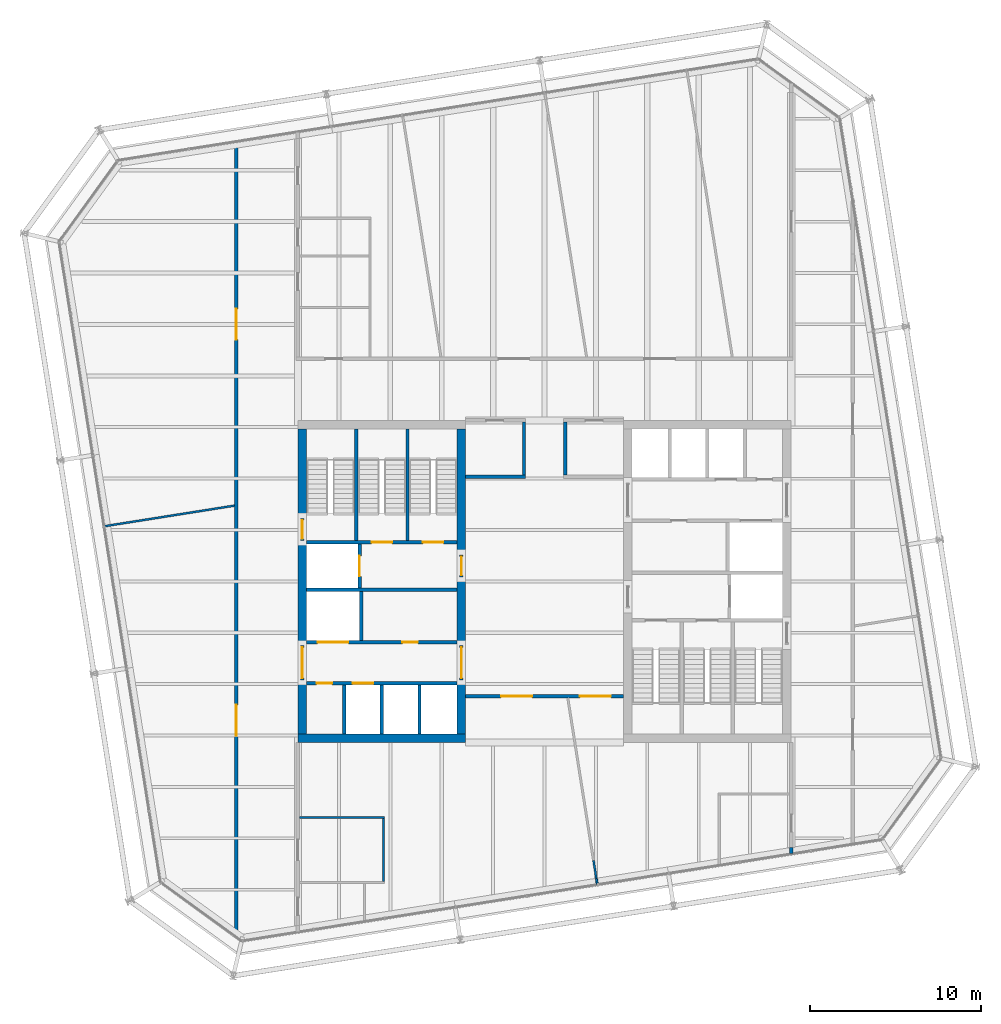
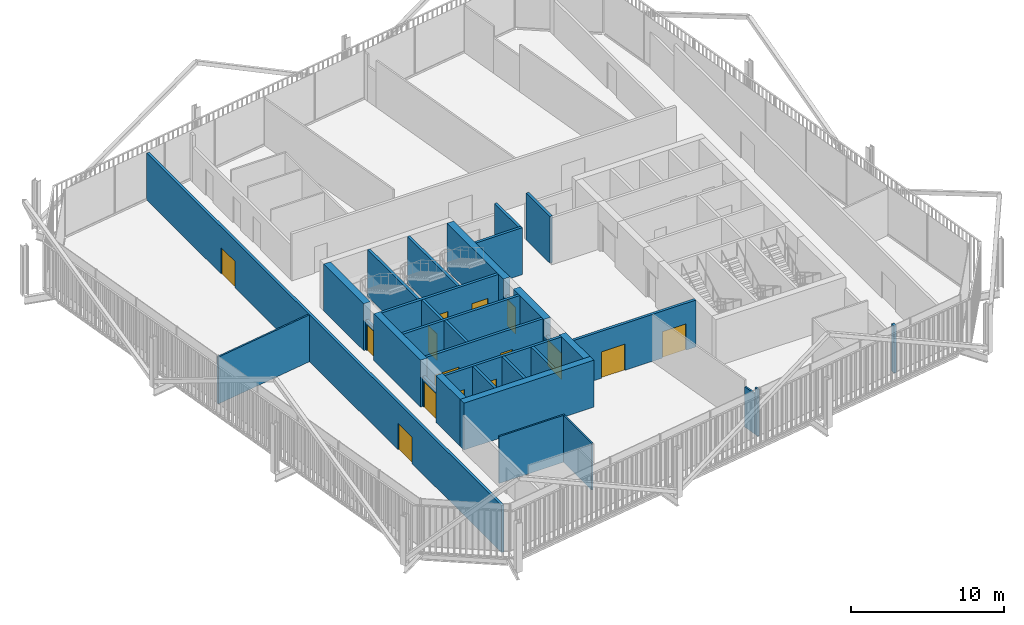
# One storey, part 17 of 21: 33 walls, 15 doors, 15 openings.
"""IFC4 building model written with IfcOpenShell, lengths in metres."""

import ifcopenshell
import ifcopenshell.guid

model = None  # the IFC model being written
_history = None  # IfcOwnerHistory: only IFC2X3 demands one
_inside = {}  # id of a spatial element -> (the spatial element, [elements in it])
_under = {}  # id of a project, library or spatial element -> (it, [spatial elements below it])
_declared = {}  # id of a project -> (the project, [libraries it declares])
_typed = {}  # id of a type object -> (the type object, [elements of that type])
_made_of = {}  # id of a material, layer set ... -> (it, [elements and type objects made of it])


def new_model(schema):
    """Start an empty IFC model of exactly this schema.

    Asked for "IFC4X3", IfcOpenShell would pick the latest addendum, in which some entities
    have other attributes; the version numbers below select the first issue.
    IFC2X3 requires an IfcOwnerHistory on every rooted entity: one is made here for all.
    """
    global model, _history
    if schema == "IFC4X3":
        model = ifcopenshell.file(schema_version=(4, 3, 0, 0))
    else:
        model = ifcopenshell.file(schema=schema)
    _inside.clear()
    _under.clear()
    _declared.clear()
    _typed.clear()
    _made_of.clear()
    _history = None
    if model.schema == "IFC2X3":
        org = make("IfcOrganization", Name="unknown")
        user = make(
            "IfcPersonAndOrganization",
            ThePerson=make("IfcPerson", FamilyName="unknown"),
            TheOrganization=org,
        )
        app = make(
            "IfcApplication",
            ApplicationDeveloper=org,
            Version="unknown",
            ApplicationFullName="unknown",
            ApplicationIdentifier="unknown",
        )
        _history = make(
            "IfcOwnerHistory",
            OwningUser=user,
            OwningApplication=app,
            ChangeAction="ADDED",
            CreationDate=0,
        )
    return model


def make(cls, **values):
    """One entity of the class cls with the attributes given. An attribute that is None is left unset."""
    return model.create_entity(
        cls, **{name: value for name, value in values.items() if value is not None}
    )


def rooted(cls, **values):
    """An entity with a GlobalId (a new one), such as an element, a storey or a relation."""
    return make(cls, GlobalId=ifcopenshell.guid.new(), OwnerHistory=_history, **values)


def si_unit(unit_type, name, prefix=None):
    """IfcSIUnit, for example si_unit("LENGTHUNIT", "METRE", prefix="MILLI")."""
    return make("IfcSIUnit", UnitType=unit_type, Prefix=prefix, Name=name)


def assignment(units):
    """IfcUnitAssignment: the units of a project."""
    return None if units is None else make("IfcUnitAssignment", Units=units)


def point(xyz):
    """IfcCartesianPoint."""
    return None if xyz is None else make("IfcCartesianPoint", Coordinates=xyz)


def direction(xyz):
    """IfcDirection."""
    return None if xyz is None else make("IfcDirection", DirectionRatios=xyz)


def frame(location, z_axis=None, x_axis=None):
    """IfcAxis2Placement3D, a coordinate frame: its origin and axes. An axis left out is left unset."""
    return make(
        "IfcAxis2Placement3D",
        Location=point(location),
        Axis=direction(z_axis),
        RefDirection=direction(x_axis),
    )


def frame_2d(location, x_axis=None):
    """IfcAxis2Placement2D, a coordinate frame in the plane: its origin and x axis."""
    return make(
        "IfcAxis2Placement2D", Location=point(location), RefDirection=direction(x_axis)
    )


def origin():
    """The frame at (0, 0, 0) with its axes left unset."""
    return frame((0.0, 0.0, 0.0))


def place(relative_to, where):
    """IfcLocalPlacement: puts the frame where relative to a parent placement (None: the world)."""
    return make(
        "IfcLocalPlacement", PlacementRelTo=relative_to, RelativePlacement=where
    )


def context(
    kind, dimensions, precision=None, world=None, true_north=None, identifier=None
):
    """IfcGeometricRepresentationContext, for example the 3D "Model" context."""
    return make(
        "IfcGeometricRepresentationContext",
        ContextIdentifier=identifier,
        ContextType=kind,
        CoordinateSpaceDimension=dimensions,
        Precision=precision,
        WorldCoordinateSystem=world,
        TrueNorth=true_north,
    )


def subcontext(parent, identifier, kind, view, scale=None):
    """IfcGeometricRepresentationSubContext, for example "Body" below "Model"."""
    return make(
        "IfcGeometricRepresentationSubContext",
        ContextIdentifier=identifier,
        ContextType=kind,
        ParentContext=parent,
        TargetScale=scale,
        TargetView=view,
    )


def project(units=None, contexts=None):
    """IfcProject with its units and contexts."""
    return rooted(
        "IfcProject",
        Name="project",
        RepresentationContexts=contexts,
        UnitsInContext=assignment(units),
    )


def spatial(cls, under=None, at=None, **own):
    """A site, building, storey or space (cls), placed at a placement, below another one or the project."""
    s = rooted(cls, ObjectPlacement=at, **own)
    if under is not None:
        _under.setdefault(under.id(), (under, []))[1].append(s)
    return s


def profile(cls, at=None, kind="AREA", **sizes):
    """A parametric profile (cls). Its sizes go by their IFC names, for example OverallWidth=200.0."""
    return make(cls, ProfileType=kind, Position=at, **sizes)


def rectangle(**sizes):
    """IfcRectangleProfileDef."""
    return profile("IfcRectangleProfileDef", **sizes)


def extrude(swept, where, along, depth):
    """IfcExtrudedAreaSolid: the profile swept, set in the frame where, extruded along a direction by depth."""
    return make(
        "IfcExtrudedAreaSolid",
        SweptArea=swept,
        Position=where,
        ExtrudedDirection=direction(along),
        Depth=depth,
    )


def shape(context_of_items, identifier, shape_type, items):
    """IfcShapeRepresentation: the items that make up one representation, for example the "Body"."""
    return make(
        "IfcShapeRepresentation",
        ContextOfItems=context_of_items,
        RepresentationIdentifier=identifier,
        RepresentationType=shape_type,
        Items=items,
    )


def material(Name=None, Category=None):
    """IfcMaterial."""
    return make("IfcMaterial", Name=Name, Category=Category)


def layer(
    of_material, thickness, ventilated=None, Name=None, Category=None, Priority=None
):
    """IfcMaterialLayer: one layer of a wall or slab, of a material (None: an air gap)."""
    return make(
        "IfcMaterialLayer",
        Material=of_material,
        LayerThickness=thickness,
        IsVentilated=ventilated,
        Name=Name,
        Category=Category,
        Priority=Priority,
    )


def layer_set(layers, Name=None):
    """IfcMaterialLayerSet."""
    return make("IfcMaterialLayerSet", MaterialLayers=layers, LayerSetName=Name)


def made_of(thing, what):
    """Note that an element or type object is made of a material, layer set ...; save() writes the relation."""
    if what is not None:
        _made_of.setdefault(what.id(), (what, []))[1].append(thing)
    return thing


def type_object(cls, material=None, **own):
    """A type object (cls), such as IfcWallType, which elements share."""
    return made_of(rooted(cls, **own), material)


def element(
    cls,
    number,
    at=None,
    inside=None,
    cuts=None,
    type_object=None,
    material=None,
    context=None,
    identifier="Body",
    shape_type=None,
    held_by="IfcProductDefinitionShape",
    body=None,
    shapes=None,
    **own,
):
    """One element of the class cls, such as IfcWall. Its Tag is "e" and its number.

    at: its placement. inside: the storey or other place that contains it. cuts: it is an
    opening in that element (IfcRelVoidsElement). A single representation is given by context,
    identifier, shape_type and body (its items); several are given by shapes. held_by: the class
    of the entity that holds the representations. save() writes the other relations.
    """
    e = rooted(cls, Tag="e%d" % number, ObjectPlacement=at, **own)
    if body is not None:
        shapes = [shape(context, identifier, shape_type, body)]
    if shapes is not None:
        e.Representation = make(held_by, Representations=shapes)
    if inside is not None:
        _inside.setdefault(inside.id(), (inside, []))[1].append(e)
    if cuts is not None:
        rooted(
            "IfcRelVoidsElement", RelatingBuildingElement=cuts, RelatedOpeningElement=e
        )
    if type_object is not None:
        _typed.setdefault(type_object.id(), (type_object, []))[1].append(e)
    return made_of(e, material)


def fill(opening, filler):
    """IfcRelFillsElement: the door or window that sits in an opening."""
    return rooted(
        "IfcRelFillsElement",
        RelatingOpeningElement=opening,
        RelatedBuildingElement=filler,
    )


def aggregate(whole, parts):
    """IfcRelAggregates: a whole, such as a stair, and the parts it consists of."""
    return rooted("IfcRelAggregates", RelatingObject=whole, RelatedObjects=parts)


def save(model, path):
    """Write the relations noted so far, then the file.

    IfcRelAggregates (storeys below a building ...), IfcRelContainedInSpatialStructure (elements
    in a storey), IfcRelDefinesByType, IfcRelAssociatesMaterial and IfcRelDeclares: one each for
    every whole, place, type object, material and project.
    """
    for whole, parts in _under.values():
        aggregate(whole, parts)
    for where, things in _inside.values():
        rooted(
            "IfcRelContainedInSpatialStructure",
            RelatedElements=things,
            RelatingStructure=where,
        )
    for kind, things in _typed.values():
        rooted("IfcRelDefinesByType", RelatedObjects=things, RelatingType=kind)
    for what, things in _made_of.values():
        rooted("IfcRelAssociatesMaterial", RelatedObjects=things, RelatingMaterial=what)
    for by, libraries in _declared.values():
        rooted("IfcRelDeclares", RelatingContext=by, RelatedDefinitions=libraries)
    model.write(path)


model = new_model("IFC4")

# Units and contexts
model_context = context("Model", 3, precision=1e-05, world=origin(), true_north=direction((0.0, 1.0)))
body_context = subcontext(model_context, "Body", "Model", "MODEL_VIEW")
ifc_project = project(units=[si_unit("LENGTHUNIT", "METRE"), si_unit("AREAUNIT", "SQUARE_METRE"), si_unit("VOLUMEUNIT", "CUBIC_METRE"), si_unit("PLANEANGLEUNIT", "RADIAN"), si_unit("MASSUNIT", "GRAM", prefix="KILO")], contexts=[model_context])

# Site, building, storey
site_placement = place(None, origin())
site = spatial("IfcSite", under=ifc_project, at=site_placement, CompositionType="ELEMENT")
building_placement = place(site_placement, origin())
building = spatial("IfcBuilding", under=site, at=building_placement, Name="Millrace Tower", CompositionType="ELEMENT")
storey_placement = place(building_placement, frame((0.0, 0.0, 220.300048828125)))
storey = spatial("IfcBuildingStorey", under=building, at=storey_placement, Name="L50", CompositionType="ELEMENT", Elevation=220.300048828125)

# Walls
ifc_material_1 = material(Name="Concrete C60", Category="concrete")
ifc_layer_1 = layer(ifc_material_1, 0.5)
ifc_layer_set_1 = layer_set([ifc_layer_1], Name="Concrete C60")
wall_type_1 = type_object("IfcWallType", Name="Core wall 500 Concrete C60", PredefinedType="SHEAR", material=ifc_layer_set_1)
wall_1_placement = place(storey_placement, frame((-14.39990234375, -9.14990234375, 0.0), z_axis=(0.0, 0.0, 1.0), x_axis=(1.0, 0.0, 0.0)))
element("IfcWall", 1, at=wall_1_placement, inside=storey, type_object=wall_type_1, Name="Core wall W L50", PredefinedType="SHEAR", context=body_context, shape_type="SweptSolid", body=[
    extrude(rectangle(XDim=9.7998046875, YDim=0.5, at=frame_2d((4.89990234375, 0.0))), origin(), (0.0, 0.0, 1.0), 3.739990234375),
])
wall_2_placement = place(storey_placement, frame((-14.14990234375, -8.89990234375, 0.0), z_axis=(0.0, 0.0, 1.0), x_axis=(0.0, 1.0, 0.0)))
element("IfcWall", 2, at=wall_2_placement, inside=storey, type_object=wall_type_1, Name="Core wall W L50", PredefinedType="SHEAR", context=body_context, shape_type="SweptSolid", body=[
    extrude(rectangle(XDim=3.14990234375, YDim=0.5, at=frame_2d((1.574951171875, 0.0))), origin(), (0.0, 0.0, 1.0), 3.739990234375),
])
wall_3_placement = place(storey_placement, frame((-14.14990234375, -3.75, 0.0), z_axis=(0.0, 0.0, 1.0), x_axis=(0.0, 1.0, 0.0)))
element("IfcWall", 3, at=wall_3_placement, inside=storey, type_object=wall_type_1, Name="Core wall W L50", PredefinedType="SHEAR", context=body_context, shape_type="SweptSolid", body=[
    extrude(rectangle(XDim=6.1298828125, YDim=0.5, at=frame_2d((3.06494140625, 0.0))), origin(), (0.0, 0.0, 1.0), 3.739990234375),
])
wall_4_placement = place(storey_placement, frame((-14.14990234375, 3.679931640625, 0.0), z_axis=(0.0, 0.0, 1.0), x_axis=(0.0, 1.0, 0.0)))
element("IfcWall", 4, at=wall_4_placement, inside=storey, type_object=wall_type_1, Name="Core wall W L50", PredefinedType="SHEAR", context=body_context, shape_type="SweptSolid", body=[
    extrude(rectangle(XDim=5.219970703125, YDim=0.5, at=frame_2d((2.60986328125, 0.0))), origin(), (0.0, 0.0, 1.0), 3.739990234375),
])
wall_5_placement = place(storey_placement, frame((-4.85009765625, -8.89990234375, 0.0), z_axis=(0.0, 0.0, 1.0), x_axis=(0.0, 1.0, 0.0)))
element("IfcWall", 5, at=wall_5_placement, inside=storey, type_object=wall_type_1, Name="Core wall W L50", PredefinedType="SHEAR", context=body_context, shape_type="SweptSolid", body=[
    extrude(rectangle(XDim=3.14990234375, YDim=0.5, at=frame_2d((1.574951171875, 0.0))), origin(), (0.0, 0.0, 1.0), 3.739990234375),
])
wall_6_placement = place(storey_placement, frame((-4.85009765625, -3.75, 0.0), z_axis=(0.0, 0.0, 1.0), x_axis=(0.0, 1.0, 0.0)))
element("IfcWall", 6, at=wall_6_placement, inside=storey, type_object=wall_type_1, Name="Core wall W L50", PredefinedType="SHEAR", context=body_context, shape_type="SweptSolid", body=[
    extrude(rectangle(XDim=4.0, YDim=0.5, at=frame_2d((2.0, 0.0))), origin(), (0.0, 0.0, 1.0), 3.739990234375),
])
wall_7_placement = place(storey_placement, frame((-4.85009765625, 1.550048828125, 0.0), z_axis=(0.0, 0.0, 1.0), x_axis=(0.0, 1.0, 0.0)))
element("IfcWall", 7, at=wall_7_placement, inside=storey, type_object=wall_type_1, Name="Core wall W L50", PredefinedType="SHEAR", context=body_context, shape_type="SweptSolid", body=[
    extrude(rectangle(XDim=7.349853515625, YDim=0.5, at=frame_2d((3.6748046875, 0.0))), origin(), (0.0, 0.0, 1.0), 3.739990234375),
])

# Wall, openings, doors
ifc_material_2 = material(Name="Masonry partition, fire-rated", Category="masonry")
ifc_layer_2 = layer(ifc_material_2, 0.199951171875)
ifc_layer_set_2 = layer_set([ifc_layer_2], Name="Masonry partition, fire-rated")
wall_type_2 = type_object("IfcWallType", Name="Corridor wall 200", PredefinedType="PARTITIONING", material=ifc_layer_set_2)
wall_8_placement = place(storey_placement, frame((-4.60009765625, -6.699951171875, 0.0), z_axis=(0.0, 0.0, 1.0), x_axis=(1.0, 0.0, 0.0)))
wall_8 = element("IfcWall", 8, at=wall_8_placement, inside=storey, type_object=wall_type_2, Name="Corridor wall L50", PredefinedType="PARTITIONING", context=body_context, shape_type="SweptSolid", body=[
    extrude(rectangle(XDim=9.2001953125, YDim=0.199951171875, at=frame_2d((4.60009765625, 0.0))), origin(), (0.0, 0.0, 1.0), 3.739990234375),
])
opening_1_placement = place(wall_8_placement, frame((2.070068359375, 0.0, 0.0)))
opening_1 = element("IfcOpeningElement", 9, at=opening_1_placement, cuts=wall_8, Name="Opening 50-P014", PredefinedType="OPENING", context=body_context, shape_type="SweptSolid", body=[
    extrude(rectangle(XDim=1.800048828125, YDim=2.10009765625, at=frame_2d((0.89990234375, 1.050048828125))), frame((0.0, 0.10986328125, 0.0), z_axis=(0.0, -1.0, 0.0), x_axis=(1.0, 0.0, 0.0)), (0.0, 0.0, 1.0), 0.219970703125),
])
opening_2_placement = place(wall_8_placement, frame((6.669921875, 0.0, 0.0)))
opening_2 = element("IfcOpeningElement", 10, at=opening_2_placement, cuts=wall_8, Name="Opening 50-P017", PredefinedType="OPENING", context=body_context, shape_type="SweptSolid", body=[
    extrude(rectangle(XDim=1.800048828125, YDim=2.10009765625, at=frame_2d((0.89990234375, 1.050048828125))), frame((0.0, 0.10986328125, 0.0), z_axis=(0.0, -1.0, 0.0), x_axis=(1.0, 0.0, 0.0)), (0.0, 0.0, 1.0), 0.219970703125),
])
ifc_material_3 = material(Name="Steel door set, fire-rated", Category="steel")
door_type_1 = type_object("IfcDoorType", Name="Corridor door 1800 x 2100", OperationType="DOUBLE_DOOR_SINGLE_SWING", PredefinedType="DOOR", material=ifc_material_3)
door_1_placement = place(opening_1_placement, origin())
door_1 = element("IfcDoor", 11, at=door_1_placement, inside=storey, type_object=door_type_1, Name="Door 50-P014", OperationType="DOUBLE_DOOR_SINGLE_SWING", OverallHeight=2.10009765625, OverallWidth=1.800048828125, PredefinedType="DOOR", context=body_context, shape_type="SweptSolid", body=[
    extrude(rectangle(XDim=1.800048828125, YDim=2.10009765625, at=frame_2d((0.89990234375, 1.050048828125))), frame((0.0, 0.02490234375, 0.0), z_axis=(0.0, -1.0, 0.0), x_axis=(1.0, 0.0, 0.0)), (0.0, 0.0, 1.0), 0.050048828125),
])
fill(opening_1, door_1)
door_2_placement = place(opening_2_placement, frame((1.800048828125, 0.0, 0.0), z_axis=(0.0, 0.0, 1.0), x_axis=(-1.0, 0.0, 0.0)))
door_2 = element("IfcDoor", 12, at=door_2_placement, inside=storey, type_object=door_type_1, Name="Door 50-P017", OperationType="DOUBLE_DOOR_SINGLE_SWING", OverallHeight=2.10009765625, OverallWidth=1.800048828125, PredefinedType="DOOR", context=body_context, shape_type="SweptSolid", body=[
    extrude(rectangle(XDim=1.800048828125, YDim=2.10009765625, at=frame_2d((0.89990234375, 1.050048828125))), frame((0.0, 0.02490234375, 0.0), z_axis=(0.0, -1.0, 0.0), x_axis=(1.0, 0.0, 0.0)), (0.0, 0.0, 1.0), 0.050048828125),
])
fill(opening_2, door_2)

# Walls
wall_9_placement = place(storey_placement, frame((-4.60009765625, 6.10009765625, 0.0), z_axis=(0.0, 0.0, 1.0), x_axis=(1.0, 0.0, 0.0)))
element("IfcWall", 13, at=wall_9_placement, inside=storey, type_object=wall_type_2, Name="Corridor wall L50", PredefinedType="PARTITIONING", context=body_context, shape_type="SweptSolid", body=[
    extrude(rectangle(XDim=3.5, YDim=0.199951171875, at=frame_2d((1.75, 0.0))), origin(), (0.0, 0.0, 1.0), 3.739990234375),
])
wall_10_placement = place(storey_placement, frame((14.39990234375, -15.87451171875, 0.0), z_axis=(0.0, 0.0, 1.0), x_axis=(0.0, 1.0, 0.0)))
element("IfcWall", 14, at=wall_10_placement, inside=storey, type_object=wall_type_2, Name="Corridor wall L50", PredefinedType="PARTITIONING", context=body_context, shape_type="SweptSolid", body=[
    extrude(rectangle(XDim=0.349609375, YDim=0.199951171875, at=frame_2d((0.1748046875, 0.0))), origin(), (0.0, 0.0, 1.0), 3.739990234375),
])
for number, where, z_axis, x_axis, name in (
    (15, (1.199951171875, 6.199951171875, 0.0), (0.0, 0.0, 1.0), (0.0, 1.0, 0.0), "Corridor wall L50"),
    (16, (-1.199951171875, 6.199951171875, 0.0), (0.0, 0.0, 1.0), (0.0, 1.0, 0.0), "Corridor wall L50"),
):
    element("IfcWall", number, at=place(storey_placement, frame(where, z_axis=z_axis, x_axis=x_axis)), inside=storey, type_object=wall_type_2, Name=name, PredefinedType="PARTITIONING", context=body_context, shape_type="SweptSolid", body=[
        extrude(rectangle(XDim=3.10009765625, YDim=0.199951171875, at=frame_2d((1.550048828125, 0.0))), origin(), (0.0, 0.0, 1.0), 3.739990234375),
    ])

# Wall, openings, doors
wall_11_placement = place(storey_placement, frame((-18.0, -20.72021484375, 0.0), z_axis=(0.0, 0.0, 1.0), x_axis=(0.0, 1.0, 0.0)))
wall_11 = element("IfcWall", 17, at=wall_11_placement, inside=storey, type_object=wall_type_2, Name="Corridor wall L50", PredefinedType="PARTITIONING", context=body_context, shape_type="SweptSolid", body=[
    extrude(rectangle(XDim=46.34814453125, YDim=0.199951171875, at=frame_2d((23.174072265625, 0.0))), origin(), (0.0, 0.0, 1.0), 3.739990234375),
])
opening_3_placement = place(wall_11_placement, frame((11.709716796875, 0.0, 0.0)))
opening_3 = element("IfcOpeningElement", 18, at=opening_3_placement, cuts=wall_11, Name="Opening 50-P003", PredefinedType="OPENING", context=body_context, shape_type="SweptSolid", body=[
    extrude(rectangle(XDim=1.800048828125, YDim=2.10009765625, at=frame_2d((0.89990234375, 1.050048828125))), frame((0.0, 0.10986328125, 0.0), z_axis=(0.0, -1.0, 0.0), x_axis=(1.0, 0.0, 0.0)), (0.0, 0.0, 1.0), 0.219970703125),
])
opening_4_placement = place(wall_11_placement, frame((34.8271484375, 0.0, 0.0)))
opening_4 = element("IfcOpeningElement", 19, at=opening_4_placement, cuts=wall_11, Name="Opening 50-P004", PredefinedType="OPENING", context=body_context, shape_type="SweptSolid", body=[
    extrude(rectangle(XDim=1.800048828125, YDim=2.10009765625, at=frame_2d((0.89990234375, 1.050048828125))), frame((0.0, 0.10986328125, 0.0), z_axis=(0.0, -1.0, 0.0), x_axis=(1.0, 0.0, 0.0)), (0.0, 0.0, 1.0), 0.219970703125),
])
door_3_placement = place(opening_3_placement, origin())
door_3 = element("IfcDoor", 20, at=door_3_placement, inside=storey, type_object=door_type_1, Name="Door 50-P003", OperationType="DOUBLE_DOOR_SINGLE_SWING", OverallHeight=2.10009765625, OverallWidth=1.800048828125, PredefinedType="DOOR", context=body_context, shape_type="SweptSolid", body=[
    extrude(rectangle(XDim=1.800048828125, YDim=2.10009765625, at=frame_2d((0.89990234375, 1.050048828125))), frame((0.0, 0.02490234375, 0.0), z_axis=(0.0, -1.0, 0.0), x_axis=(1.0, 0.0, 0.0)), (0.0, 0.0, 1.0), 0.050048828125),
])
fill(opening_3, door_3)
door_4_placement = place(opening_4_placement, frame((1.800048828125, 0.0, 0.0), z_axis=(0.0, 0.0, 1.0), x_axis=(-1.0, 0.0, 0.0)))
door_4 = element("IfcDoor", 21, at=door_4_placement, inside=storey, type_object=door_type_1, Name="Door 50-P004", OperationType="DOUBLE_DOOR_SINGLE_SWING", OverallHeight=2.10009765625, OverallWidth=1.800048828125, PredefinedType="DOOR", context=body_context, shape_type="SweptSolid", body=[
    extrude(rectangle(XDim=1.800048828125, YDim=2.10009765625, at=frame_2d((0.89990234375, 1.050048828125))), frame((0.0, 0.02490234375, 0.0), z_axis=(0.0, -1.0, 0.0), x_axis=(1.0, 0.0, 0.0)), (0.0, 0.0, 1.0), 0.050048828125),
])
fill(opening_4, door_4)

ifc_material_4 = material(Name="Masonry partition, fire-rated", Category="masonry")
ifc_layer_3 = layer(ifc_material_4, 0.199951171875)
ifc_layer_set_3 = layer_set([ifc_layer_3], Name="Masonry partition, fire-rated")
wall_type_3 = type_object("IfcWallType", Name="Lift shaft wall 200", PredefinedType="PARTITIONING", material=ifc_layer_set_3)
wall_12_placement = place(storey_placement, frame((-13.89990234375, -5.949951171875, 0.0), z_axis=(0.0, 0.0, 1.0), x_axis=(1.0, 0.0, 0.0)))
wall_12 = element("IfcWall", 22, at=wall_12_placement, inside=storey, type_object=wall_type_3, Name="Lift shaft wall W L50", PredefinedType="PARTITIONING", context=body_context, shape_type="SweptSolid", body=[
    extrude(rectangle(XDim=8.7998046875, YDim=0.199951171875, at=frame_2d((4.39990234375, 0.0))), origin(), (0.0, 0.0, 1.0), 3.739990234375),
])
opening_5_placement = place(wall_12_placement, frame((2.699951171875, 0.0, 0.0)))
opening_5 = element("IfcOpeningElement", 23, at=opening_5_placement, cuts=wall_12, Name="Opening 50-LD02", PredefinedType="OPENING", context=body_context, shape_type="SweptSolid", body=[
    extrude(rectangle(XDim=1.199951171875, YDim=2.10009765625, at=frame_2d((0.60009765625, 1.050048828125))), frame((0.0, 0.10986328125, 0.0), z_axis=(0.0, -1.0, 0.0), x_axis=(1.0, 0.0, 0.0)), (0.0, 0.0, 1.0), 0.219970703125),
])
opening_6_placement = place(wall_12_placement, frame((0.60009765625, 0.0, 0.0)))
opening_6 = element("IfcOpeningElement", 24, at=opening_6_placement, cuts=wall_12, Name="Opening 50-C005", PredefinedType="OPENING", context=body_context, shape_type="SweptSolid", body=[
    extrude(rectangle(XDim=0.89990234375, YDim=2.10009765625, at=frame_2d((0.449951171875, 1.050048828125))), frame((0.0, 0.10986328125, 0.0), z_axis=(0.0, -1.0, 0.0), x_axis=(1.0, 0.0, 0.0)), (0.0, 0.0, 1.0), 0.219970703125),
])
ifc_material_5 = material(Name="Stainless steel, fire-rated", Category="steel")
door_type_2 = type_object("IfcDoorType", Name="Lift landing door 1200 x 2100", OperationType="DOUBLE_DOOR_SLIDING", PredefinedType="DOOR", material=ifc_material_5)
door_5_placement = place(opening_5_placement, origin())
door_5 = element("IfcDoor", 25, at=door_5_placement, inside=storey, type_object=door_type_2, Name="Lift landing door LF2 L50", OperationType="DOUBLE_DOOR_SLIDING", OverallHeight=2.10009765625, OverallWidth=1.199951171875, PredefinedType="DOOR", context=body_context, shape_type="SweptSolid", body=[
    extrude(rectangle(XDim=1.199951171875, YDim=2.10009765625, at=frame_2d((0.60009765625, 1.050048828125))), frame((0.0, 0.02490234375, 0.0), z_axis=(0.0, -1.0, 0.0), x_axis=(1.0, 0.0, 0.0)), (0.0, 0.0, 1.0), 0.050048828125),
])
fill(opening_5, door_5)
ifc_material_6 = material(Name="Steel door, fire-rated", Category="steel")
door_type_3 = type_object("IfcDoorType", Name="Service room door 900 x 2100", OperationType="SINGLE_SWING_LEFT", PredefinedType="DOOR", material=ifc_material_6)
door_6_placement = place(opening_6_placement, frame((0.89990234375, 0.0, 0.0), z_axis=(0.0, 0.0, 1.0), x_axis=(-1.0, 0.0, 0.0)))
door_6 = element("IfcDoor", 26, at=door_6_placement, inside=storey, type_object=door_type_3, Name="Service room door 50-C005", OperationType="SINGLE_SWING_RIGHT", OverallHeight=2.10009765625, OverallWidth=0.89990234375, PredefinedType="DOOR", context=body_context, shape_type="SweptSolid", body=[
    extrude(rectangle(XDim=0.89990234375, YDim=2.10009765625, at=frame_2d((0.449951171875, 1.050048828125))), frame((0.0, 0.02490234375, 0.0), z_axis=(0.0, -1.0, 0.0), x_axis=(1.0, 0.0, 0.0)), (0.0, 0.0, 1.0), 0.050048828125),
])
fill(opening_6, door_6)

wall_13_placement = place(storey_placement, frame((-13.89990234375, -3.550048828125, 0.0), z_axis=(0.0, 0.0, 1.0), x_axis=(1.0, 0.0, 0.0)))
wall_13 = element("IfcWall", 27, at=wall_13_placement, inside=storey, type_object=wall_type_3, Name="Lift shaft wall W L50", PredefinedType="PARTITIONING", context=body_context, shape_type="SweptSolid", body=[
    extrude(rectangle(XDim=8.7998046875, YDim=0.199951171875, at=frame_2d((4.39990234375, 0.0))), origin(), (0.0, 0.0, 1.0), 3.739990234375),
])
opening_7_placement = place(wall_13_placement, frame((0.64990234375, 0.0, 0.0)))
opening_7 = element("IfcOpeningElement", 28, at=opening_7_placement, cuts=wall_13, Name="Opening 50-LD05", PredefinedType="OPENING", context=body_context, shape_type="SweptSolid", body=[
    extrude(rectangle(XDim=1.800048828125, YDim=2.10009765625, at=frame_2d((0.89990234375, 1.050048828125))), frame((0.0, 0.10986328125, 0.0), z_axis=(0.0, -1.0, 0.0), x_axis=(1.0, 0.0, 0.0)), (0.0, 0.0, 1.0), 0.219970703125),
])
opening_8_placement = place(wall_13_placement, frame((5.60009765625, 0.0, 0.0)))
opening_8 = element("IfcOpeningElement", 29, at=opening_8_placement, cuts=wall_13, Name="Opening 50-C006", PredefinedType="OPENING", context=body_context, shape_type="SweptSolid", body=[
    extrude(rectangle(XDim=0.89990234375, YDim=2.10009765625, at=frame_2d((0.449951171875, 1.050048828125))), frame((0.0, 0.10986328125, 0.0), z_axis=(0.0, -1.0, 0.0), x_axis=(1.0, 0.0, 0.0)), (0.0, 0.0, 1.0), 0.219970703125),
])
ifc_material_7 = material(Name="Stainless steel, fire-rated", Category="steel")
door_type_4 = type_object("IfcDoorType", Name="Lift landing door 1800 x 2100", OperationType="DOUBLE_DOOR_SLIDING", PredefinedType="DOOR", material=ifc_material_7)
door_7_placement = place(opening_7_placement, origin())
door_7 = element("IfcDoor", 30, at=door_7_placement, inside=storey, type_object=door_type_4, Name="Lift landing door LF5 L50", OperationType="DOUBLE_DOOR_SLIDING", OverallHeight=2.10009765625, OverallWidth=1.800048828125, PredefinedType="DOOR", context=body_context, shape_type="SweptSolid", body=[
    extrude(rectangle(XDim=1.800048828125, YDim=2.10009765625, at=frame_2d((0.89990234375, 1.050048828125))), frame((0.0, 0.02490234375, 0.0), z_axis=(0.0, -1.0, 0.0), x_axis=(1.0, 0.0, 0.0)), (0.0, 0.0, 1.0), 0.050048828125),
])
fill(opening_7, door_7)
door_8_placement = place(opening_8_placement, origin())
door_8 = element("IfcDoor", 31, at=door_8_placement, inside=storey, type_object=door_type_3, Name="Service room door 50-C006", OperationType="SINGLE_SWING_RIGHT", OverallHeight=2.10009765625, OverallWidth=0.89990234375, PredefinedType="DOOR", context=body_context, shape_type="SweptSolid", body=[
    extrude(rectangle(XDim=0.89990234375, YDim=2.10009765625, at=frame_2d((0.449951171875, 1.050048828125))), frame((0.0, 0.02490234375, 0.0), z_axis=(0.0, -1.0, 0.0), x_axis=(1.0, 0.0, 0.0)), (0.0, 0.0, 1.0), 0.050048828125),
])
fill(opening_8, door_8)

# Wall
wall_14_placement = place(storey_placement, frame((-13.89990234375, -0.5, 0.0), z_axis=(0.0, 0.0, 1.0), x_axis=(1.0, 0.0, 0.0)))
element("IfcWall", 32, at=wall_14_placement, inside=storey, type_object=wall_type_3, Name="Lift shaft wall W L50", PredefinedType="PARTITIONING", context=body_context, shape_type="SweptSolid", body=[
    extrude(rectangle(XDim=8.7998046875, YDim=0.199951171875, at=frame_2d((4.39990234375, 0.0))), origin(), (0.0, 0.0, 1.0), 3.739990234375),
])

# Wall, opening, door
wall_15_placement = place(storey_placement, frame((-10.800048828125, -0.39990234375, 0.0), z_axis=(0.0, 0.0, 1.0), x_axis=(0.0, 1.0, 0.0)))
wall_15 = element("IfcWall", 33, at=wall_15_placement, inside=storey, type_object=wall_type_3, Name="Lift shaft wall W L50", PredefinedType="PARTITIONING", context=body_context, shape_type="SweptSolid", body=[
    extrude(rectangle(XDim=2.579833984375, YDim=0.199951171875, at=frame_2d((1.2900390625, 0.0))), origin(), (0.0, 0.0, 1.0), 3.739990234375),
])
opening_9_placement = place(wall_15_placement, frame((0.68994140625, 0.0, 0.0)))
opening_9 = element("IfcOpeningElement", 34, at=opening_9_placement, cuts=wall_15, Name="Opening 50-LD08", PredefinedType="OPENING", context=body_context, shape_type="SweptSolid", body=[
    extrude(rectangle(XDim=1.199951171875, YDim=2.10009765625, at=frame_2d((0.60009765625, 1.050048828125))), frame((0.0, 0.10986328125, 0.0), z_axis=(0.0, -1.0, 0.0), x_axis=(1.0, 0.0, 0.0)), (0.0, 0.0, 1.0), 0.219970703125),
])
door_9_placement = place(opening_9_placement, origin())
door_9 = element("IfcDoor", 35, at=door_9_placement, inside=storey, type_object=door_type_2, Name="Lift landing door LF8 L50", OperationType="DOUBLE_DOOR_SLIDING", OverallHeight=2.10009765625, OverallWidth=1.199951171875, PredefinedType="DOOR", context=body_context, shape_type="SweptSolid", body=[
    extrude(rectangle(XDim=1.199951171875, YDim=2.10009765625, at=frame_2d((0.60009765625, 1.050048828125))), frame((0.0, 0.02490234375, 0.0), z_axis=(0.0, -1.0, 0.0), x_axis=(1.0, 0.0, 0.0)), (0.0, 0.0, 1.0), 0.050048828125),
])
fill(opening_9, door_9)

# Walls
for number, where, z_axis, x_axis, name in (
    (36, (-11.699951171875, -8.89990234375, 0.0), (0.0, 0.0, 1.0), (0.0, 1.0, 0.0), "Lift shaft wall W L50"),
    (37, (-9.5, -8.89990234375, 0.0), (0.0, 0.0, 1.0), (0.0, 1.0, 0.0), "Lift shaft wall W L50"),
    (38, (-7.300048828125, -8.89990234375, 0.0), (0.0, 0.0, 1.0), (0.0, 1.0, 0.0), "Lift shaft wall W L50"),
    (39, (-10.699951171875, -3.449951171875, 0.0), (0.0, 0.0, 1.0), (0.0, 1.0, 0.0), "Lift shaft wall W L50"),
):
    element("IfcWall", number, at=place(storey_placement, frame(where, z_axis=z_axis, x_axis=x_axis)), inside=storey, type_object=wall_type_3, Name=name, PredefinedType="PARTITIONING", context=body_context, shape_type="SweptSolid", body=[
        extrude(rectangle(XDim=2.849853515625, YDim=0.199951171875, at=frame_2d((1.4248046875, 0.0))), origin(), (0.0, 0.0, 1.0), 3.739990234375),
    ])

# Wall, opening, door
ifc_material_8 = material(Name="Masonry partition, fire-rated", Category="masonry")
ifc_layer_4 = layer(ifc_material_8, 0.199951171875)
ifc_layer_set_4 = layer_set([ifc_layer_4], Name="Masonry partition, fire-rated")
wall_type_4 = type_object("IfcWallType", Name="Lobby wall 200", PredefinedType="PARTITIONING", material=ifc_layer_set_4)
wall_16_placement = place(storey_placement, frame((-14.14990234375, -5.75, 0.0), z_axis=(0.0, 0.0, 1.0), x_axis=(0.0, 1.0, 0.0)))
wall_16 = element("IfcWall", 40, at=wall_16_placement, inside=storey, type_object=wall_type_4, Name="Lobby wall W L50", PredefinedType="PARTITIONING", context=body_context, shape_type="SweptSolid", body=[
    extrude(rectangle(XDim=2.0, YDim=0.199951171875, at=frame_2d((1.0, 0.0))), origin(), (0.0, 0.0, 1.0), 2.39990234375),
])
opening_10_placement = place(wall_16_placement, frame((0.10009765625, 0.0, 0.0)))
opening_10 = element("IfcOpeningElement", 41, at=opening_10_placement, cuts=wall_16, Name="Opening 50-C001", PredefinedType="OPENING", context=body_context, shape_type="SweptSolid", body=[
    extrude(rectangle(XDim=1.800048828125, YDim=2.10009765625, at=frame_2d((0.89990234375, 1.050048828125))), frame((0.0, 0.10986328125, 0.0), z_axis=(0.0, -1.0, 0.0), x_axis=(1.0, 0.0, 0.0)), (0.0, 0.0, 1.0), 0.219970703125),
])
ifc_material_9 = material(Name="Steel door, fire-rated", Category="steel")
door_type_5 = type_object("IfcDoorType", Name="Lobby door 1800 x 2100", OperationType="DOUBLE_DOOR_SINGLE_SWING", PredefinedType="DOOR", material=ifc_material_9)
door_10_placement = place(opening_10_placement, origin())
door_10 = element("IfcDoor", 42, at=door_10_placement, inside=storey, type_object=door_type_5, Name="Lobby door 50-C001", OperationType="DOUBLE_DOOR_SINGLE_SWING", OverallHeight=2.10009765625, OverallWidth=1.800048828125, PredefinedType="DOOR", context=body_context, shape_type="SweptSolid", body=[
    extrude(rectangle(XDim=1.800048828125, YDim=2.10009765625, at=frame_2d((0.89990234375, 1.050048828125))), frame((0.0, 0.02490234375, 0.0), z_axis=(0.0, -1.0, 0.0), x_axis=(1.0, 0.0, 0.0)), (0.0, 0.0, 1.0), 0.050048828125),
])
fill(opening_10, door_10)

wall_17_placement = place(storey_placement, frame((-4.85009765625, -5.75, 0.0), z_axis=(0.0, 0.0, 1.0), x_axis=(0.0, 1.0, 0.0)))
wall_17 = element("IfcWall", 43, at=wall_17_placement, inside=storey, type_object=wall_type_4, Name="Lobby wall W L50", PredefinedType="PARTITIONING", context=body_context, shape_type="SweptSolid", body=[
    extrude(rectangle(XDim=2.0, YDim=0.199951171875, at=frame_2d((1.0, 0.0))), origin(), (0.0, 0.0, 1.0), 2.39990234375),
])
opening_11_placement = place(wall_17_placement, frame((0.10009765625, 0.0, 0.0)))
opening_11 = element("IfcOpeningElement", 44, at=opening_11_placement, cuts=wall_17, Name="Opening 50-C003", PredefinedType="OPENING", context=body_context, shape_type="SweptSolid", body=[
    extrude(rectangle(XDim=1.800048828125, YDim=2.10009765625, at=frame_2d((0.89990234375, 1.050048828125))), frame((0.0, 0.10986328125, 0.0), z_axis=(0.0, -1.0, 0.0), x_axis=(1.0, 0.0, 0.0)), (0.0, 0.0, 1.0), 0.219970703125),
])
door_11_placement = place(opening_11_placement, frame((1.800048828125, 0.0, 0.0), z_axis=(0.0, 0.0, 1.0), x_axis=(-1.0, 0.0, 0.0)))
door_11 = element("IfcDoor", 45, at=door_11_placement, inside=storey, type_object=door_type_5, Name="Lobby door 50-C003", OperationType="DOUBLE_DOOR_SINGLE_SWING", OverallHeight=2.10009765625, OverallWidth=1.800048828125, PredefinedType="DOOR", context=body_context, shape_type="SweptSolid", body=[
    extrude(rectangle(XDim=1.800048828125, YDim=2.10009765625, at=frame_2d((0.89990234375, 1.050048828125))), frame((0.0, 0.02490234375, 0.0), z_axis=(0.0, -1.0, 0.0), x_axis=(1.0, 0.0, 0.0)), (0.0, 0.0, 1.0), 0.050048828125),
])
fill(opening_11, door_11)

wall_18_placement = place(storey_placement, frame((-4.85009765625, 0.25, 0.0), z_axis=(0.0, 0.0, 1.0), x_axis=(0.0, 1.0, 0.0)))
wall_18 = element("IfcWall", 46, at=wall_18_placement, inside=storey, type_object=wall_type_4, Name="Lobby wall W L50", PredefinedType="PARTITIONING", context=body_context, shape_type="SweptSolid", body=[
    extrude(rectangle(XDim=1.300048828125, YDim=0.199951171875, at=frame_2d((0.64990234375, 0.0))), origin(), (0.0, 0.0, 1.0), 2.39990234375),
])
opening_12_placement = place(wall_18_placement, frame((0.10009765625, 0.0, 0.0)))
opening_12 = element("IfcOpeningElement", 47, at=opening_12_placement, cuts=wall_18, Name="Opening 50-C004", PredefinedType="OPENING", context=body_context, shape_type="SweptSolid", body=[
    extrude(rectangle(XDim=1.10009765625, YDim=2.10009765625, at=frame_2d((0.550048828125, 1.050048828125))), frame((0.0, 0.10986328125, 0.0), z_axis=(0.0, -1.0, 0.0), x_axis=(1.0, 0.0, 0.0)), (0.0, 0.0, 1.0), 0.219970703125),
])
ifc_material_10 = material(Name="Steel door, fire-rated", Category="steel")
door_type_6 = type_object("IfcDoorType", Name="Lobby door 1100 x 2100", OperationType="SINGLE_SWING_LEFT", PredefinedType="DOOR", material=ifc_material_10)
door_12_placement = place(opening_12_placement, frame((1.10009765625, 0.0, 0.0), z_axis=(0.0, 0.0, 1.0), x_axis=(-1.0, 0.0, 0.0)))
door_12 = element("IfcDoor", 48, at=door_12_placement, inside=storey, type_object=door_type_6, Name="Lobby door 50-C004", OperationType="SINGLE_SWING_LEFT", OverallHeight=2.10009765625, OverallWidth=1.10009765625, PredefinedType="DOOR", context=body_context, shape_type="SweptSolid", body=[
    extrude(rectangle(XDim=1.10009765625, YDim=2.10009765625, at=frame_2d((0.550048828125, 1.050048828125))), frame((0.0, 0.02490234375, 0.0), z_axis=(0.0, -1.0, 0.0), x_axis=(1.0, 0.0, 0.0)), (0.0, 0.0, 1.0), 0.050048828125),
])
fill(opening_12, door_12)

# Walls
ifc_material_11 = material(Name="Gypsum board partition")
ifc_layer_5 = layer(ifc_material_11, 0.1201171875)
ifc_layer_set_5 = layer_set([ifc_layer_5], Name="Gypsum board partition")
wall_type_5 = type_object("IfcWallType", Name="Partition wall 120", PredefinedType="PARTITIONING", material=ifc_layer_set_5)
wall_19_placement = place(storey_placement, frame((2.858154296875, -16.28759765625, 0.0), z_axis=(0.0, 0.0, 1.0), x_axis=(0.156535041478, -0.987672405603, 0.0)))
element("IfcWall", 49, at=wall_19_placement, inside=storey, type_object=wall_type_5, Name="Partition wall L50", PredefinedType="PARTITIONING", context=body_context, shape_type="SweptSolid", body=[
    extrude(rectangle(XDim=1.072998046875, YDim=0.1201171875, at=frame_2d((0.53662109375, 0.0))), origin(), (0.0, 0.0, 1.0), 3.214111328125),
])
wall_20_placement = place(storey_placement, frame((3.026123046875, -17.347412109375, 0.0), z_axis=(0.0, 0.0, 1.0), x_axis=(0.155730772494, -0.987799537608, 0.0)))
element("IfcWall", 50, at=wall_20_placement, inside=storey, type_object=wall_type_5, Name="Partition wall L50", PredefinedType="PARTITIONING", context=body_context, shape_type="SweptSolid", body=[
    extrude(rectangle(XDim=0.324462890625, YDim=0.1201171875, at=frame_2d((0.162109375, 0.0))), origin(), (0.0, 0.0, 1.0), 3.739990234375),
])
wall_21_placement = place(storey_placement, frame((-14.300048828125, -13.784912109375, 0.0), z_axis=(0.0, 0.0, 1.0), x_axis=(1.0, 0.0, 0.0)))
element("IfcWall", 51, at=wall_21_placement, inside=storey, type_object=wall_type_5, Name="Partition wall L50", PredefinedType="PARTITIONING", context=body_context, shape_type="SweptSolid", body=[
    extrude(rectangle(XDim=4.9599609375, YDim=0.1201171875, at=frame_2d((2.47998046875, 0.0))), origin(), (0.0, 0.0, 1.0), 3.739990234375),
])
wall_22_placement = place(storey_placement, frame((-25.675048828125, 3.22119140625, 0.0), z_axis=(0.0, 0.0, 1.0), x_axis=(0.98768335333, 0.156465950147, 0.0)))
element("IfcWall", 52, at=wall_22_placement, inside=storey, type_object=wall_type_5, Name="Partition wall L50", PredefinedType="PARTITIONING", context=body_context, shape_type="SweptSolid", body=[
    extrude(rectangle(XDim=7.670654296875, YDim=0.1201171875, at=frame_2d((3.83544921875, 0.0))), origin(), (0.0, 0.0, 1.0), 3.739990234375),
])
wall_23_placement = place(storey_placement, frame((-9.39990234375, -17.52490234375, 0.0), z_axis=(0.0, 0.0, 1.0), x_axis=(0.0, 1.0, 0.0)))
element("IfcWall", 53, at=wall_23_placement, inside=storey, type_object=wall_type_5, Name="Partition wall L50", PredefinedType="PARTITIONING", context=body_context, shape_type="SweptSolid", body=[
    extrude(rectangle(XDim=3.679931640625, YDim=0.1201171875, at=frame_2d((1.83984375, 0.0))), origin(), (0.0, 0.0, 1.0), 3.739990234375),
])

# Wall, opening, door
ifc_material_12 = material(Name="Concrete C40", Category="concrete")
ifc_layer_6 = layer(ifc_material_12, 0.199951171875)
ifc_layer_set_6 = layer_set([ifc_layer_6], Name="Concrete C40")
wall_type_6 = type_object("IfcWallType", Name="Stair enclosure wall 200 Concrete C40", PredefinedType="SHEAR", material=ifc_layer_set_6)
wall_24_placement = place(storey_placement, frame((-14.14990234375, 2.3798828125, 0.0), z_axis=(0.0, 0.0, 1.0), x_axis=(0.0, 1.0, 0.0)))
wall_24 = element("IfcWall", 54, at=wall_24_placement, inside=storey, type_object=wall_type_6, Name="Stair enclosure wall W L50", PredefinedType="SHEAR", context=body_context, shape_type="SweptSolid", body=[
    extrude(rectangle(XDim=1.300048828125, YDim=0.199951171875, at=frame_2d((0.64990234375, 0.0))), origin(), (0.0, 0.0, 1.0), 2.39990234375),
])
opening_13_placement = place(wall_24_placement, frame((0.10009765625, 0.0, 0.0)))
opening_13 = element("IfcOpeningElement", 55, at=opening_13_placement, cuts=wall_24, Name="Opening 50-C002", PredefinedType="OPENING", context=body_context, shape_type="SweptSolid", body=[
    extrude(rectangle(XDim=1.10009765625, YDim=2.10009765625, at=frame_2d((0.550048828125, 1.050048828125))), frame((0.0, 0.10986328125, 0.0), z_axis=(0.0, -1.0, 0.0), x_axis=(1.0, 0.0, 0.0)), (0.0, 0.0, 1.0), 0.219970703125),
])
ifc_material_13 = material(Name="Steel door, fire-rated", Category="steel")
door_type_7 = type_object("IfcDoorType", Name="Stair door 1100 x 2100", OperationType="SINGLE_SWING_LEFT", PredefinedType="DOOR", material=ifc_material_13)
door_13_placement = place(opening_13_placement, origin())
door_13 = element("IfcDoor", 56, at=door_13_placement, inside=storey, type_object=door_type_7, Name="Stair door 50-C002", OperationType="SINGLE_SWING_LEFT", OverallHeight=2.10009765625, OverallWidth=1.10009765625, PredefinedType="DOOR", context=body_context, shape_type="SweptSolid", body=[
    extrude(rectangle(XDim=1.10009765625, YDim=2.10009765625, at=frame_2d((0.550048828125, 1.050048828125))), frame((0.0, 0.02490234375, 0.0), z_axis=(0.0, -1.0, 0.0), x_axis=(1.0, 0.0, 0.0)), (0.0, 0.0, 1.0), 0.050048828125),
])
fill(opening_13, door_13)

# Wall, openings, doors
wall_25_placement = place(storey_placement, frame((-13.89990234375, 2.280029296875, 0.0), z_axis=(0.0, 0.0, 1.0), x_axis=(1.0, 0.0, 0.0)))
wall_25 = element("IfcWall", 57, at=wall_25_placement, inside=storey, type_object=wall_type_6, Name="Stair enclosure wall W L50", PredefinedType="SHEAR", context=body_context, shape_type="SweptSolid", body=[
    extrude(rectangle(XDim=8.7998046875, YDim=0.199951171875, at=frame_2d((4.39990234375, 0.0))), origin(), (0.0, 0.0, 1.0), 3.739990234375),
])
opening_14_placement = place(wall_25_placement, frame((3.800048828125, 0.0, 0.0)))
opening_14 = element("IfcOpeningElement", 58, at=opening_14_placement, cuts=wall_25, Name="Opening 50-C007", PredefinedType="OPENING", context=body_context, shape_type="SweptSolid", body=[
    extrude(rectangle(XDim=1.199951171875, YDim=2.10009765625, at=frame_2d((0.60009765625, 1.050048828125))), frame((0.0, 0.10986328125, 0.0), z_axis=(0.0, -1.0, 0.0), x_axis=(1.0, 0.0, 0.0)), (0.0, 0.0, 1.0), 0.219970703125),
])
opening_15_placement = place(wall_25_placement, frame((6.800048828125, 0.0, 0.0)))
opening_15 = element("IfcOpeningElement", 59, at=opening_15_placement, cuts=wall_25, Name="Opening 50-C008", PredefinedType="OPENING", context=body_context, shape_type="SweptSolid", body=[
    extrude(rectangle(XDim=1.199951171875, YDim=2.10009765625, at=frame_2d((0.60009765625, 1.050048828125))), frame((0.0, 0.10986328125, 0.0), z_axis=(0.0, -1.0, 0.0), x_axis=(1.0, 0.0, 0.0)), (0.0, 0.0, 1.0), 0.219970703125),
])
ifc_material_14 = material(Name="Steel door, fire-rated", Category="steel")
door_type_8 = type_object("IfcDoorType", Name="Stair door 1200 x 2100", OperationType="SINGLE_SWING_LEFT", PredefinedType="DOOR", material=ifc_material_14)
door_14_placement = place(opening_14_placement, frame((1.199951171875, 0.0, 0.0), z_axis=(0.0, 0.0, 1.0), x_axis=(-1.0, 0.0, 0.0)))
door_14 = element("IfcDoor", 60, at=door_14_placement, inside=storey, type_object=door_type_8, Name="Stair door 50-C007", OperationType="SINGLE_SWING_RIGHT", OverallHeight=2.10009765625, OverallWidth=1.199951171875, PredefinedType="DOOR", context=body_context, shape_type="SweptSolid", body=[
    extrude(rectangle(XDim=1.199951171875, YDim=2.10009765625, at=frame_2d((0.60009765625, 1.050048828125))), frame((0.0, 0.02490234375, 0.0), z_axis=(0.0, -1.0, 0.0), x_axis=(1.0, 0.0, 0.0)), (0.0, 0.0, 1.0), 0.050048828125),
])
fill(opening_14, door_14)
door_15_placement = place(opening_15_placement, frame((1.199951171875, 0.0, 0.0), z_axis=(0.0, 0.0, 1.0), x_axis=(-1.0, 0.0, 0.0)))
door_15 = element("IfcDoor", 61, at=door_15_placement, inside=storey, type_object=door_type_8, Name="Stair door 50-C008", OperationType="SINGLE_SWING_LEFT", OverallHeight=2.10009765625, OverallWidth=1.199951171875, PredefinedType="DOOR", context=body_context, shape_type="SweptSolid", body=[
    extrude(rectangle(XDim=1.199951171875, YDim=2.10009765625, at=frame_2d((0.60009765625, 1.050048828125))), frame((0.0, 0.02490234375, 0.0), z_axis=(0.0, -1.0, 0.0), x_axis=(1.0, 0.0, 0.0)), (0.0, 0.0, 1.0), 0.050048828125),
])
fill(opening_15, door_15)

# Walls
for number, where, z_axis, x_axis, name in (
    (62, (-11.0, 2.3798828125, 0.0), (0.0, 0.0, 1.0), (0.0, 1.0, 0.0), "Stair enclosure wall W L50"),
    (63, (-8.0, 2.3798828125, 0.0), (0.0, 0.0, 1.0), (0.0, 1.0, 0.0), "Stair enclosure wall W L50"),
):
    element("IfcWall", number, at=place(storey_placement, frame(where, z_axis=z_axis, x_axis=x_axis)), inside=storey, type_object=wall_type_6, Name=name, PredefinedType="SHEAR", context=body_context, shape_type="SweptSolid", body=[
        extrude(rectangle(XDim=6.52001953125, YDim=0.199951171875, at=frame_2d((3.260009765625, 0.0))), origin(), (0.0, 0.0, 1.0), 3.739990234375),
    ])

save(model, "model.ifc")
